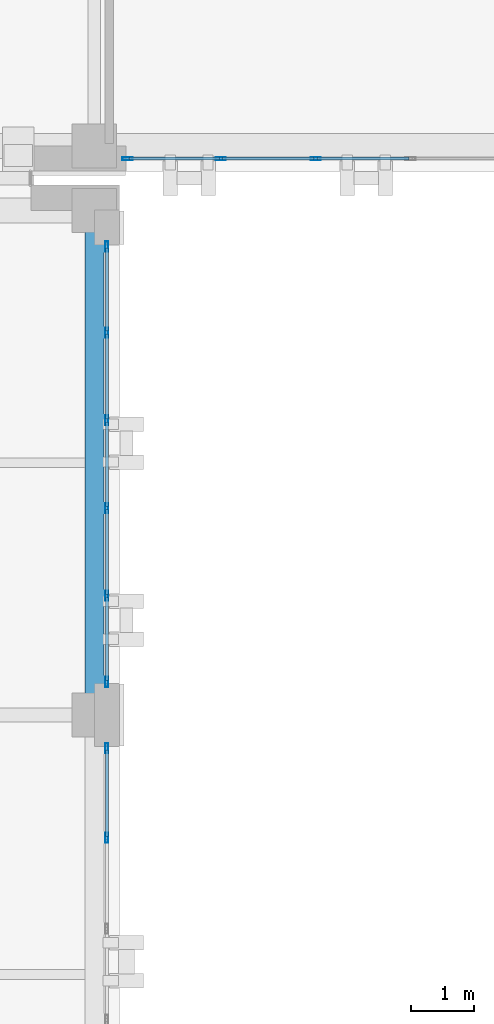
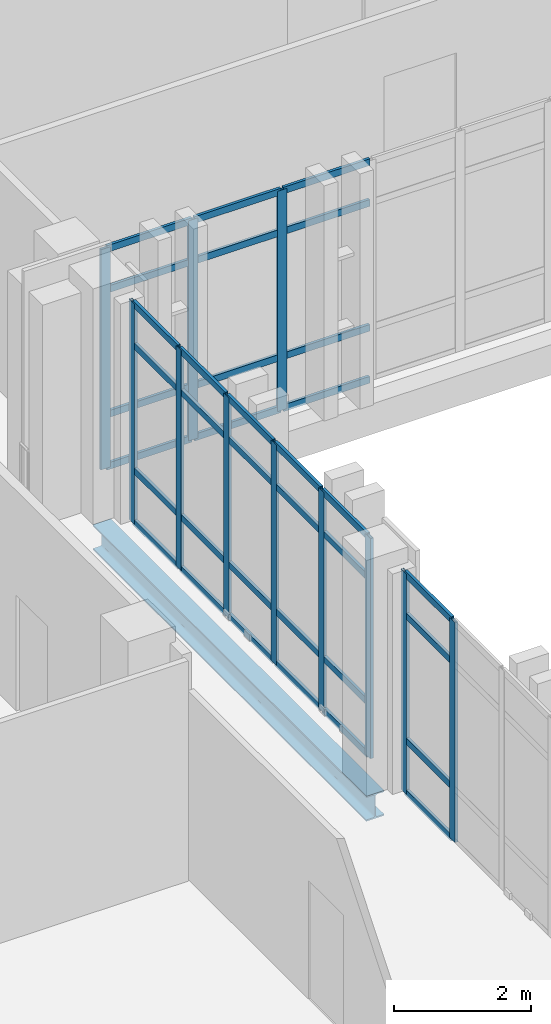
# One storey, part 78 of 158: 47 members, 1 beam, 3 elements without a shape of their own.
"""IFC4 building model written with IfcOpenShell, lengths in metres."""

from ifc_helpers import new_model, si_unit, direction, frame, origin, origin_2d, place, context, subcontext, project, spatial, hollow_rectangle, i_section, extrude, material, layer, layer_set, material_profile, profile_set, type_object, element, aggregate, save


model = new_model("IFC4")

# Units and contexts
model_context = context("Model", 3, precision=1e-05, world=origin(), true_north=direction((0.0, 1.0)))
body_context = subcontext(model_context, "Body", "Model", "MODEL_VIEW")
ifc_project = project(units=[si_unit("LENGTHUNIT", "METRE"), si_unit("AREAUNIT", "SQUARE_METRE"), si_unit("VOLUMEUNIT", "CUBIC_METRE"), si_unit("PLANEANGLEUNIT", "RADIAN"), si_unit("MASSUNIT", "GRAM", prefix="KILO")], contexts=[model_context])

# Site, building, storey
site_placement = place(None, origin())
site = spatial("IfcSite", under=ifc_project, at=site_placement, CompositionType="ELEMENT")
building_placement = place(site_placement, origin())
building = spatial("IfcBuilding", under=site, at=building_placement, Name="Qalavern Law Courts", CompositionType="ELEMENT")
storey_placement = place(building_placement, frame((0.0, 0.0, 18.60009765625)))
storey = spatial("IfcBuildingStorey", under=building, at=storey_placement, Name="L04", CompositionType="ELEMENT", Elevation=18.60009765625)

# Curtain wall, members
ifc_material_1 = material(Name="Anodised aluminium and insulated glazing", Category="aluminium")
ifc_layer_1 = layer(ifc_material_1, 0.159912109375)
ifc_layer_set_1 = layer_set([ifc_layer_1], Name="Anodised aluminium and insulated glazing")
curtain_wall_type_1 = type_object("IfcCurtainWallType", Name="ENV-CW-CHAMB", PredefinedType="USERDEFINED", material=ifc_layer_set_1)
curtain_wall_1_placement = place(storey_placement, origin())
curtain_wall_1 = element("IfcCurtainWall", 1, at=curtain_wall_1_placement, inside=storey, type_object=curtain_wall_type_1, Name="V3 unitised curtain wall L04 east 6", ObjectType="UNITISED CURTAIN WALL", PredefinedType="USERDEFINED")
ifc_material_2 = material(Name="Anodised aluminium", Category="aluminium")
ifc_material_profile_1 = material_profile(ifc_material_2, hollow_rectangle(XDim=0.048095703125, YDim=0.159912109375, WallThickness=0.00390625, at=origin_2d()), Name="ALU MULLION 48x160")
ifc_profile_set_1 = profile_set([ifc_material_profile_1], Name="Anodised aluminium")
member_type_1 = type_object("IfcMemberType", Name="ENV-CWM-48x160", PredefinedType="MULLION", material=ifc_profile_set_1)
member_1_placement = place(storey_placement, frame((18.60009765625, 85.659912109375, 0.0), z_axis=(0.0, 0.0, 1.0), x_axis=(-1.0, 0.0, 0.0)))
member_1 = element("IfcMember", 2, at=member_1_placement, type_object=member_type_1, Name="CW-04 mullion 5", PredefinedType="MULLION", context=body_context, shape_type="SweptSolid", body=[
    extrude(hollow_rectangle(XDim=0.048095703125, YDim=0.159912109375, WallThickness=0.00390625, at=origin_2d()), origin(), (0.0, 0.0, 1.0), 3.9248046875),
])
member_2_placement = place(storey_placement, frame((18.60009765625, 87.075927734375, 0.0), z_axis=(0.0, 0.0, 1.0), x_axis=(-1.0, 0.0, 0.0)))
member_2 = element("IfcMember", 3, at=member_2_placement, type_object=member_type_1, Name="CW-04 mullion 6", PredefinedType="MULLION", context=body_context, shape_type="SweptSolid", body=[
    extrude(hollow_rectangle(XDim=0.048095703125, YDim=0.159912109375, WallThickness=0.00390625, at=origin_2d()), origin(), (0.0, 0.0, 1.0), 3.9248046875),
])

curtain_wall_2_placement = place(storey_placement, origin())
curtain_wall_2 = element("IfcCurtainWall", 4, at=curtain_wall_2_placement, inside=storey, type_object=curtain_wall_type_1, Name="V3 unitised curtain wall L04 east 7", ObjectType="UNITISED CURTAIN WALL", PredefinedType="USERDEFINED")
member_3_placement = place(storey_placement, frame((18.60009765625, 88.1240234375, 0.0), z_axis=(0.0, 0.0, 1.0), x_axis=(-1.0, 0.0, 0.0)))
member_3 = element("IfcMember", 5, at=member_3_placement, type_object=member_type_1, Name="CW-04 mullion 1", PredefinedType="MULLION", context=body_context, shape_type="SweptSolid", body=[
    extrude(hollow_rectangle(XDim=0.048095703125, YDim=0.159912109375, WallThickness=0.00390625, at=origin_2d()), origin(), (0.0, 0.0, 1.0), 3.9248046875),
])
member_4_placement = place(storey_placement, frame((18.60009765625, 89.487060546875, 0.0), z_axis=(0.0, 0.0, 1.0), x_axis=(-1.0, 0.0, 0.0)))
member_4 = element("IfcMember", 6, at=member_4_placement, type_object=member_type_1, Name="CW-04 mullion 2", PredefinedType="MULLION", context=body_context, shape_type="SweptSolid", body=[
    extrude(hollow_rectangle(XDim=0.048095703125, YDim=0.159912109375, WallThickness=0.00390625, at=origin_2d()), origin(), (0.0, 0.0, 1.0), 3.9248046875),
])
member_5_placement = place(storey_placement, frame((18.60009765625, 90.8740234375, 0.0), z_axis=(0.0, 0.0, 1.0), x_axis=(-1.0, 0.0, 0.0)))
member_5 = element("IfcMember", 7, at=member_5_placement, type_object=member_type_1, Name="CW-04 mullion 3", PredefinedType="MULLION", context=body_context, shape_type="SweptSolid", body=[
    extrude(hollow_rectangle(XDim=0.048095703125, YDim=0.159912109375, WallThickness=0.00390625, at=origin_2d()), origin(), (0.0, 0.0, 1.0), 3.9248046875),
])
member_6_placement = place(storey_placement, frame((18.60009765625, 92.260986328125, 0.0), z_axis=(0.0, 0.0, 1.0), x_axis=(-1.0, 0.0, 0.0)))
member_6 = element("IfcMember", 8, at=member_6_placement, type_object=member_type_1, Name="CW-04 mullion 4", PredefinedType="MULLION", context=body_context, shape_type="SweptSolid", body=[
    extrude(hollow_rectangle(XDim=0.048095703125, YDim=0.159912109375, WallThickness=0.00390625, at=origin_2d()), origin(), (0.0, 0.0, 1.0), 3.9248046875),
])
member_7_placement = place(storey_placement, frame((18.60009765625, 93.64794921875, 0.0), z_axis=(0.0, 0.0, 1.0), x_axis=(-1.0, 0.0, 0.0)))
member_7 = element("IfcMember", 9, at=member_7_placement, type_object=member_type_1, Name="CW-04 mullion 5", PredefinedType="MULLION", context=body_context, shape_type="SweptSolid", body=[
    extrude(hollow_rectangle(XDim=0.048095703125, YDim=0.159912109375, WallThickness=0.00390625, at=origin_2d()), origin(), (0.0, 0.0, 1.0), 3.9248046875),
])
member_8_placement = place(storey_placement, frame((18.60009765625, 95.010986328125, 0.0), z_axis=(0.0, 0.0, 1.0), x_axis=(-1.0, 0.0, 0.0)))
member_8 = element("IfcMember", 10, at=member_8_placement, type_object=member_type_1, Name="CW-04 mullion 6", PredefinedType="MULLION", context=body_context, shape_type="SweptSolid", body=[
    extrude(hollow_rectangle(XDim=0.048095703125, YDim=0.159912109375, WallThickness=0.00390625, at=origin_2d()), origin(), (0.0, 0.0, 1.0), 3.9248046875),
])

ifc_layer_2 = layer(ifc_material_1, 0.166015625)
ifc_layer_set_2 = layer_set([ifc_layer_2], Name="Anodised aluminium and insulated glazing")
curtain_wall_type_2 = type_object("IfcCurtainWallType", Name="ENV-CW-LIB", PredefinedType="USERDEFINED", material=ifc_layer_set_2)
curtain_wall_3_placement = place(storey_placement, origin())
curtain_wall_3 = element("IfcCurtainWall", 11, at=curtain_wall_3_placement, inside=storey, type_object=curtain_wall_type_2, Name="V5 unitised curtain wall L04 south 1", ObjectType="UNITISED CURTAIN WALL", PredefinedType="USERDEFINED")
member_9_placement = place(storey_placement, frame((18.924072265625, 96.39990234375, 0.0), z_axis=(0.0, 0.0, 1.0), x_axis=(0.0, 1.0, 0.0)))
member_9 = element("IfcMember", 12, at=member_9_placement, type_object=member_type_1, Name="CW-05 mullion 1", PredefinedType="MULLION", context=body_context, shape_type="SweptSolid", body=[
    extrude(hollow_rectangle(XDim=0.048095703125, YDim=0.159912109375, WallThickness=0.00390625, at=origin_2d()), origin(), (0.0, 0.0, 1.0), 3.9248046875),
])
member_10_placement = place(storey_placement, frame((20.39990234375, 96.39990234375, 0.0), z_axis=(0.0, 0.0, 1.0), x_axis=(0.0, 1.0, 0.0)))
member_10 = element("IfcMember", 13, at=member_10_placement, type_object=member_type_1, Name="CW-05 mullion 2", PredefinedType="MULLION", context=body_context, shape_type="SweptSolid", body=[
    extrude(hollow_rectangle(XDim=0.048095703125, YDim=0.159912109375, WallThickness=0.00390625, at=origin_2d()), origin(), (0.0, 0.0, 1.0), 3.9248046875),
])
member_11_placement = place(storey_placement, frame((21.89990234375, 96.39990234375, 0.0), z_axis=(0.0, 0.0, 1.0), x_axis=(0.0, 1.0, 0.0)))
member_11 = element("IfcMember", 14, at=member_11_placement, type_object=member_type_1, Name="CW-05 mullion 3", PredefinedType="MULLION", context=body_context, shape_type="SweptSolid", body=[
    extrude(hollow_rectangle(XDim=0.048095703125, YDim=0.159912109375, WallThickness=0.00390625, at=origin_2d()), origin(), (0.0, 0.0, 1.0), 3.9248046875),
])

# Member
ifc_material_profile_2 = material_profile(ifc_material_2, hollow_rectangle(XDim=0.048095703125, YDim=0.1201171875, WallThickness=0.00390625, at=origin_2d()), Name="ALU TRANSOM 48x120")
ifc_profile_set_2 = profile_set([ifc_material_profile_2], Name="Anodised aluminium")
member_type_2 = type_object("IfcMemberType", Name="ENV-CWT-48x120", PredefinedType="USERDEFINED", material=ifc_profile_set_2)
member_12_placement = place(storey_placement, frame((18.60009765625, 85.68408203125, 0.02392578125), z_axis=(0.0, 1.0, 0.0), x_axis=(-1.0, 0.0, 0.0)))
member_12 = element("IfcMember", 15, at=member_12_placement, type_object=member_type_2, Name="CW-04 transom 5.1", ObjectType="TRANSOM", PredefinedType="USERDEFINED", context=body_context, shape_type="SweptSolid", body=[
    extrude(hollow_rectangle(XDim=0.048095703125, YDim=0.1201171875, WallThickness=0.00390625, at=origin_2d()), origin(), (0.0, 0.0, 1.0), 1.367919921875),
])

member_13_placement = place(storey_placement, frame((18.60009765625, 85.68408203125, 0.949951171875), z_axis=(0.0, 1.0, 0.0), x_axis=(-1.0, 0.0, 0.0)))
member_13 = element("IfcMember", 16, at=member_13_placement, type_object=member_type_2, Name="CW-04 transom 5.2", ObjectType="TRANSOM", PredefinedType="USERDEFINED", context=body_context, shape_type="SweptSolid", body=[
    extrude(hollow_rectangle(XDim=0.048095703125, YDim=0.1201171875, WallThickness=0.00390625, at=origin_2d()), origin(), (0.0, 0.0, 1.0), 1.367919921875),
])

member_14_placement = place(storey_placement, frame((18.60009765625, 85.68408203125, 3.1748046875), z_axis=(0.0, 1.0, 0.0), x_axis=(-1.0, 0.0, 0.0)))
member_14 = element("IfcMember", 17, at=member_14_placement, type_object=member_type_2, Name="CW-04 transom 5.3", ObjectType="TRANSOM", PredefinedType="USERDEFINED", context=body_context, shape_type="SweptSolid", body=[
    extrude(hollow_rectangle(XDim=0.048095703125, YDim=0.1201171875, WallThickness=0.00390625, at=origin_2d()), origin(), (0.0, 0.0, 1.0), 1.367919921875),
])

member_15_placement = place(storey_placement, frame((18.60009765625, 85.68408203125, 3.90087890625), z_axis=(0.0, 1.0, 0.0), x_axis=(-1.0, 0.0, 0.0)))
member_15 = element("IfcMember", 18, at=member_15_placement, type_object=member_type_2, Name="CW-04 transom 5.4", ObjectType="TRANSOM", PredefinedType="USERDEFINED", context=body_context, shape_type="SweptSolid", body=[
    extrude(hollow_rectangle(XDim=0.048095703125, YDim=0.1201171875, WallThickness=0.00390625, at=origin_2d()), origin(), (0.0, 0.0, 1.0), 1.367919921875),
])

aggregate(curtain_wall_1, [member_1, member_2, member_12, member_13, member_14, member_15])

member_16_placement = place(storey_placement, frame((18.60009765625, 88.14794921875, 0.02392578125), z_axis=(0.0, 1.0, 0.0), x_axis=(-1.0, 0.0, 0.0)))
member_16 = element("IfcMember", 19, at=member_16_placement, type_object=member_type_2, Name="CW-04 transom 1.1", ObjectType="TRANSOM", PredefinedType="USERDEFINED", context=body_context, shape_type="SweptSolid", body=[
    extrude(hollow_rectangle(XDim=0.048095703125, YDim=0.1201171875, WallThickness=0.00390625, at=origin_2d()), origin(), (0.0, 0.0, 1.0), 1.31494140625),
])

member_17_placement = place(storey_placement, frame((18.60009765625, 88.14794921875, 0.949951171875), z_axis=(0.0, 1.0, 0.0), x_axis=(-1.0, 0.0, 0.0)))
member_17 = element("IfcMember", 20, at=member_17_placement, type_object=member_type_2, Name="CW-04 transom 1.2", ObjectType="TRANSOM", PredefinedType="USERDEFINED", context=body_context, shape_type="SweptSolid", body=[
    extrude(hollow_rectangle(XDim=0.048095703125, YDim=0.1201171875, WallThickness=0.00390625, at=origin_2d()), origin(), (0.0, 0.0, 1.0), 1.31494140625),
])

member_18_placement = place(storey_placement, frame((18.60009765625, 88.14794921875, 3.1748046875), z_axis=(0.0, 1.0, 0.0), x_axis=(-1.0, 0.0, 0.0)))
member_18 = element("IfcMember", 21, at=member_18_placement, type_object=member_type_2, Name="CW-04 transom 1.3", ObjectType="TRANSOM", PredefinedType="USERDEFINED", context=body_context, shape_type="SweptSolid", body=[
    extrude(hollow_rectangle(XDim=0.048095703125, YDim=0.1201171875, WallThickness=0.00390625, at=origin_2d()), origin(), (0.0, 0.0, 1.0), 1.31494140625),
])

member_19_placement = place(storey_placement, frame((18.60009765625, 88.14794921875, 3.90087890625), z_axis=(0.0, 1.0, 0.0), x_axis=(-1.0, 0.0, 0.0)))
member_19 = element("IfcMember", 22, at=member_19_placement, type_object=member_type_2, Name="CW-04 transom 1.4", ObjectType="TRANSOM", PredefinedType="USERDEFINED", context=body_context, shape_type="SweptSolid", body=[
    extrude(hollow_rectangle(XDim=0.048095703125, YDim=0.1201171875, WallThickness=0.00390625, at=origin_2d()), origin(), (0.0, 0.0, 1.0), 1.31494140625),
])

member_20_placement = place(storey_placement, frame((18.60009765625, 89.510986328125, 0.02392578125), z_axis=(0.0, 1.0, 0.0), x_axis=(-1.0, 0.0, 0.0)))
member_20 = element("IfcMember", 23, at=member_20_placement, type_object=member_type_2, Name="CW-04 transom 2.1", ObjectType="TRANSOM", PredefinedType="USERDEFINED", context=body_context, shape_type="SweptSolid", body=[
    extrude(hollow_rectangle(XDim=0.048095703125, YDim=0.1201171875, WallThickness=0.00390625, at=origin_2d()), origin(), (0.0, 0.0, 1.0), 1.339111328125),
])

member_21_placement = place(storey_placement, frame((18.60009765625, 89.510986328125, 0.949951171875), z_axis=(0.0, 1.0, 0.0), x_axis=(-1.0, 0.0, 0.0)))
member_21 = element("IfcMember", 24, at=member_21_placement, type_object=member_type_2, Name="CW-04 transom 2.2", ObjectType="TRANSOM", PredefinedType="USERDEFINED", context=body_context, shape_type="SweptSolid", body=[
    extrude(hollow_rectangle(XDim=0.048095703125, YDim=0.1201171875, WallThickness=0.00390625, at=origin_2d()), origin(), (0.0, 0.0, 1.0), 1.339111328125),
])

member_22_placement = place(storey_placement, frame((18.60009765625, 89.510986328125, 3.1748046875), z_axis=(0.0, 1.0, 0.0), x_axis=(-1.0, 0.0, 0.0)))
member_22 = element("IfcMember", 25, at=member_22_placement, type_object=member_type_2, Name="CW-04 transom 2.3", ObjectType="TRANSOM", PredefinedType="USERDEFINED", context=body_context, shape_type="SweptSolid", body=[
    extrude(hollow_rectangle(XDim=0.048095703125, YDim=0.1201171875, WallThickness=0.00390625, at=origin_2d()), origin(), (0.0, 0.0, 1.0), 1.339111328125),
])

member_23_placement = place(storey_placement, frame((18.60009765625, 89.510986328125, 3.90087890625), z_axis=(0.0, 1.0, 0.0), x_axis=(-1.0, 0.0, 0.0)))
member_23 = element("IfcMember", 26, at=member_23_placement, type_object=member_type_2, Name="CW-04 transom 2.4", ObjectType="TRANSOM", PredefinedType="USERDEFINED", context=body_context, shape_type="SweptSolid", body=[
    extrude(hollow_rectangle(XDim=0.048095703125, YDim=0.1201171875, WallThickness=0.00390625, at=origin_2d()), origin(), (0.0, 0.0, 1.0), 1.339111328125),
])

member_24_placement = place(storey_placement, frame((18.60009765625, 90.89794921875, 0.02392578125), z_axis=(0.0, 1.0, 0.0), x_axis=(-1.0, 0.0, 0.0)))
member_24 = element("IfcMember", 27, at=member_24_placement, type_object=member_type_2, Name="CW-04 transom 3.1", ObjectType="TRANSOM", PredefinedType="USERDEFINED", context=body_context, shape_type="SweptSolid", body=[
    extrude(hollow_rectangle(XDim=0.048095703125, YDim=0.1201171875, WallThickness=0.00390625, at=origin_2d()), origin(), (0.0, 0.0, 1.0), 1.339111328125),
])

member_25_placement = place(storey_placement, frame((18.60009765625, 90.89794921875, 0.949951171875), z_axis=(0.0, 1.0, 0.0), x_axis=(-1.0, 0.0, 0.0)))
member_25 = element("IfcMember", 28, at=member_25_placement, type_object=member_type_2, Name="CW-04 transom 3.2", ObjectType="TRANSOM", PredefinedType="USERDEFINED", context=body_context, shape_type="SweptSolid", body=[
    extrude(hollow_rectangle(XDim=0.048095703125, YDim=0.1201171875, WallThickness=0.00390625, at=origin_2d()), origin(), (0.0, 0.0, 1.0), 1.339111328125),
])

member_26_placement = place(storey_placement, frame((18.60009765625, 90.89794921875, 3.1748046875), z_axis=(0.0, 1.0, 0.0), x_axis=(-1.0, 0.0, 0.0)))
member_26 = element("IfcMember", 29, at=member_26_placement, type_object=member_type_2, Name="CW-04 transom 3.3", ObjectType="TRANSOM", PredefinedType="USERDEFINED", context=body_context, shape_type="SweptSolid", body=[
    extrude(hollow_rectangle(XDim=0.048095703125, YDim=0.1201171875, WallThickness=0.00390625, at=origin_2d()), origin(), (0.0, 0.0, 1.0), 1.339111328125),
])

member_27_placement = place(storey_placement, frame((18.60009765625, 90.89794921875, 3.90087890625), z_axis=(0.0, 1.0, 0.0), x_axis=(-1.0, 0.0, 0.0)))
member_27 = element("IfcMember", 30, at=member_27_placement, type_object=member_type_2, Name="CW-04 transom 3.4", ObjectType="TRANSOM", PredefinedType="USERDEFINED", context=body_context, shape_type="SweptSolid", body=[
    extrude(hollow_rectangle(XDim=0.048095703125, YDim=0.1201171875, WallThickness=0.00390625, at=origin_2d()), origin(), (0.0, 0.0, 1.0), 1.339111328125),
])

member_28_placement = place(storey_placement, frame((18.60009765625, 92.284912109375, 0.02392578125), z_axis=(0.0, 1.0, 0.0), x_axis=(-1.0, 0.0, 0.0)))
member_28 = element("IfcMember", 31, at=member_28_placement, type_object=member_type_2, Name="CW-04 transom 4.1", ObjectType="TRANSOM", PredefinedType="USERDEFINED", context=body_context, shape_type="SweptSolid", body=[
    extrude(hollow_rectangle(XDim=0.048095703125, YDim=0.1201171875, WallThickness=0.00390625, at=origin_2d()), origin(), (0.0, 0.0, 1.0), 1.339111328125),
])

member_29_placement = place(storey_placement, frame((18.60009765625, 92.284912109375, 0.949951171875), z_axis=(0.0, 1.0, 0.0), x_axis=(-1.0, 0.0, 0.0)))
member_29 = element("IfcMember", 32, at=member_29_placement, type_object=member_type_2, Name="CW-04 transom 4.2", ObjectType="TRANSOM", PredefinedType="USERDEFINED", context=body_context, shape_type="SweptSolid", body=[
    extrude(hollow_rectangle(XDim=0.048095703125, YDim=0.1201171875, WallThickness=0.00390625, at=origin_2d()), origin(), (0.0, 0.0, 1.0), 1.339111328125),
])

member_30_placement = place(storey_placement, frame((18.60009765625, 92.284912109375, 3.1748046875), z_axis=(0.0, 1.0, 0.0), x_axis=(-1.0, 0.0, 0.0)))
member_30 = element("IfcMember", 33, at=member_30_placement, type_object=member_type_2, Name="CW-04 transom 4.3", ObjectType="TRANSOM", PredefinedType="USERDEFINED", context=body_context, shape_type="SweptSolid", body=[
    extrude(hollow_rectangle(XDim=0.048095703125, YDim=0.1201171875, WallThickness=0.00390625, at=origin_2d()), origin(), (0.0, 0.0, 1.0), 1.339111328125),
])

member_31_placement = place(storey_placement, frame((18.60009765625, 92.284912109375, 3.90087890625), z_axis=(0.0, 1.0, 0.0), x_axis=(-1.0, 0.0, 0.0)))
member_31 = element("IfcMember", 34, at=member_31_placement, type_object=member_type_2, Name="CW-04 transom 4.4", ObjectType="TRANSOM", PredefinedType="USERDEFINED", context=body_context, shape_type="SweptSolid", body=[
    extrude(hollow_rectangle(XDim=0.048095703125, YDim=0.1201171875, WallThickness=0.00390625, at=origin_2d()), origin(), (0.0, 0.0, 1.0), 1.339111328125),
])

member_32_placement = place(storey_placement, frame((18.60009765625, 93.672119140625, 0.02392578125), z_axis=(0.0, 1.0, 0.0), x_axis=(-1.0, 0.0, 0.0)))
member_32 = element("IfcMember", 35, at=member_32_placement, type_object=member_type_2, Name="CW-04 transom 5.1", ObjectType="TRANSOM", PredefinedType="USERDEFINED", context=body_context, shape_type="SweptSolid", body=[
    extrude(hollow_rectangle(XDim=0.048095703125, YDim=0.1201171875, WallThickness=0.00390625, at=origin_2d()), origin(), (0.0, 0.0, 1.0), 1.31494140625),
])

member_33_placement = place(storey_placement, frame((18.60009765625, 93.672119140625, 0.949951171875), z_axis=(0.0, 1.0, 0.0), x_axis=(-1.0, 0.0, 0.0)))
member_33 = element("IfcMember", 36, at=member_33_placement, type_object=member_type_2, Name="CW-04 transom 5.2", ObjectType="TRANSOM", PredefinedType="USERDEFINED", context=body_context, shape_type="SweptSolid", body=[
    extrude(hollow_rectangle(XDim=0.048095703125, YDim=0.1201171875, WallThickness=0.00390625, at=origin_2d()), origin(), (0.0, 0.0, 1.0), 1.31494140625),
])

member_34_placement = place(storey_placement, frame((18.60009765625, 93.672119140625, 3.1748046875), z_axis=(0.0, 1.0, 0.0), x_axis=(-1.0, 0.0, 0.0)))
member_34 = element("IfcMember", 37, at=member_34_placement, type_object=member_type_2, Name="CW-04 transom 5.3", ObjectType="TRANSOM", PredefinedType="USERDEFINED", context=body_context, shape_type="SweptSolid", body=[
    extrude(hollow_rectangle(XDim=0.048095703125, YDim=0.1201171875, WallThickness=0.00390625, at=origin_2d()), origin(), (0.0, 0.0, 1.0), 1.31494140625),
])

member_35_placement = place(storey_placement, frame((18.60009765625, 93.672119140625, 3.90087890625), z_axis=(0.0, 1.0, 0.0), x_axis=(-1.0, 0.0, 0.0)))
member_35 = element("IfcMember", 38, at=member_35_placement, type_object=member_type_2, Name="CW-04 transom 5.4", ObjectType="TRANSOM", PredefinedType="USERDEFINED", context=body_context, shape_type="SweptSolid", body=[
    extrude(hollow_rectangle(XDim=0.048095703125, YDim=0.1201171875, WallThickness=0.00390625, at=origin_2d()), origin(), (0.0, 0.0, 1.0), 1.31494140625),
])

aggregate(curtain_wall_2, [member_3, member_4, member_5, member_6, member_7, member_8, member_16, member_17, member_18, member_19, member_20, member_21, member_22, member_23, member_24, member_25, member_26, member_27, member_28, member_29, member_30, member_31, member_32, member_33, member_34, member_35])

member_36_placement = place(storey_placement, frame((18.947998046875, 96.39990234375, 0.02392578125), z_axis=(1.0, 0.0, 0.0), x_axis=(0.0, 1.0, 0.0)))
member_36 = element("IfcMember", 39, at=member_36_placement, type_object=member_type_2, Name="CW-05 transom 1.1", ObjectType="TRANSOM", PredefinedType="USERDEFINED", context=body_context, shape_type="SweptSolid", body=[
    extrude(hollow_rectangle(XDim=0.048095703125, YDim=0.1201171875, WallThickness=0.00390625, at=origin_2d()), origin(), (0.0, 0.0, 1.0), 1.427978515625),
])

member_37_placement = place(storey_placement, frame((18.947998046875, 96.39990234375, 0.949951171875), z_axis=(1.0, 0.0, 0.0), x_axis=(0.0, 1.0, 0.0)))
member_37 = element("IfcMember", 40, at=member_37_placement, type_object=member_type_2, Name="CW-05 transom 1.2", ObjectType="TRANSOM", PredefinedType="USERDEFINED", context=body_context, shape_type="SweptSolid", body=[
    extrude(hollow_rectangle(XDim=0.048095703125, YDim=0.1201171875, WallThickness=0.00390625, at=origin_2d()), origin(), (0.0, 0.0, 1.0), 1.427978515625),
])

member_38_placement = place(storey_placement, frame((18.947998046875, 96.39990234375, 3.1748046875), z_axis=(1.0, 0.0, 0.0), x_axis=(0.0, 1.0, 0.0)))
member_38 = element("IfcMember", 41, at=member_38_placement, type_object=member_type_2, Name="CW-05 transom 1.3", ObjectType="TRANSOM", PredefinedType="USERDEFINED", context=body_context, shape_type="SweptSolid", body=[
    extrude(hollow_rectangle(XDim=0.048095703125, YDim=0.1201171875, WallThickness=0.00390625, at=origin_2d()), origin(), (0.0, 0.0, 1.0), 1.427978515625),
])

member_39_placement = place(storey_placement, frame((18.947998046875, 96.39990234375, 3.90087890625), z_axis=(1.0, 0.0, 0.0), x_axis=(0.0, 1.0, 0.0)))
member_39 = element("IfcMember", 42, at=member_39_placement, type_object=member_type_2, Name="CW-05 transom 1.4", ObjectType="TRANSOM", PredefinedType="USERDEFINED", context=body_context, shape_type="SweptSolid", body=[
    extrude(hollow_rectangle(XDim=0.048095703125, YDim=0.1201171875, WallThickness=0.00390625, at=origin_2d()), origin(), (0.0, 0.0, 1.0), 1.427978515625),
])

member_40_placement = place(storey_placement, frame((20.424072265625, 96.39990234375, 0.02392578125), z_axis=(1.0, 0.0, 0.0), x_axis=(0.0, 1.0, 0.0)))
member_40 = element("IfcMember", 43, at=member_40_placement, type_object=member_type_2, Name="CW-05 transom 2.1", ObjectType="TRANSOM", PredefinedType="USERDEFINED", context=body_context, shape_type="SweptSolid", body=[
    extrude(hollow_rectangle(XDim=0.048095703125, YDim=0.1201171875, WallThickness=0.00390625, at=origin_2d()), origin(), (0.0, 0.0, 1.0), 1.451904296875),
])

member_41_placement = place(storey_placement, frame((20.424072265625, 96.39990234375, 0.949951171875), z_axis=(1.0, 0.0, 0.0), x_axis=(0.0, 1.0, 0.0)))
member_41 = element("IfcMember", 44, at=member_41_placement, type_object=member_type_2, Name="CW-05 transom 2.2", ObjectType="TRANSOM", PredefinedType="USERDEFINED", context=body_context, shape_type="SweptSolid", body=[
    extrude(hollow_rectangle(XDim=0.048095703125, YDim=0.1201171875, WallThickness=0.00390625, at=origin_2d()), origin(), (0.0, 0.0, 1.0), 1.451904296875),
])

member_42_placement = place(storey_placement, frame((20.424072265625, 96.39990234375, 3.1748046875), z_axis=(1.0, 0.0, 0.0), x_axis=(0.0, 1.0, 0.0)))
member_42 = element("IfcMember", 45, at=member_42_placement, type_object=member_type_2, Name="CW-05 transom 2.3", ObjectType="TRANSOM", PredefinedType="USERDEFINED", context=body_context, shape_type="SweptSolid", body=[
    extrude(hollow_rectangle(XDim=0.048095703125, YDim=0.1201171875, WallThickness=0.00390625, at=origin_2d()), origin(), (0.0, 0.0, 1.0), 1.451904296875),
])

member_43_placement = place(storey_placement, frame((20.424072265625, 96.39990234375, 3.90087890625), z_axis=(1.0, 0.0, 0.0), x_axis=(0.0, 1.0, 0.0)))
member_43 = element("IfcMember", 46, at=member_43_placement, type_object=member_type_2, Name="CW-05 transom 2.4", ObjectType="TRANSOM", PredefinedType="USERDEFINED", context=body_context, shape_type="SweptSolid", body=[
    extrude(hollow_rectangle(XDim=0.048095703125, YDim=0.1201171875, WallThickness=0.00390625, at=origin_2d()), origin(), (0.0, 0.0, 1.0), 1.451904296875),
])

member_44_placement = place(storey_placement, frame((21.924072265625, 96.39990234375, 0.02392578125), z_axis=(1.0, 0.0, 0.0), x_axis=(0.0, 1.0, 0.0)))
member_44 = element("IfcMember", 47, at=member_44_placement, type_object=member_type_2, Name="CW-05 transom 3.1", ObjectType="TRANSOM", PredefinedType="USERDEFINED", context=body_context, shape_type="SweptSolid", body=[
    extrude(hollow_rectangle(XDim=0.048095703125, YDim=0.1201171875, WallThickness=0.00390625, at=origin_2d()), origin(), (0.0, 0.0, 1.0), 1.451904296875),
])

member_45_placement = place(storey_placement, frame((21.924072265625, 96.39990234375, 0.949951171875), z_axis=(1.0, 0.0, 0.0), x_axis=(0.0, 1.0, 0.0)))
member_45 = element("IfcMember", 48, at=member_45_placement, type_object=member_type_2, Name="CW-05 transom 3.2", ObjectType="TRANSOM", PredefinedType="USERDEFINED", context=body_context, shape_type="SweptSolid", body=[
    extrude(hollow_rectangle(XDim=0.048095703125, YDim=0.1201171875, WallThickness=0.00390625, at=origin_2d()), origin(), (0.0, 0.0, 1.0), 1.451904296875),
])

member_46_placement = place(storey_placement, frame((21.924072265625, 96.39990234375, 3.1748046875), z_axis=(1.0, 0.0, 0.0), x_axis=(0.0, 1.0, 0.0)))
member_46 = element("IfcMember", 49, at=member_46_placement, type_object=member_type_2, Name="CW-05 transom 3.3", ObjectType="TRANSOM", PredefinedType="USERDEFINED", context=body_context, shape_type="SweptSolid", body=[
    extrude(hollow_rectangle(XDim=0.048095703125, YDim=0.1201171875, WallThickness=0.00390625, at=origin_2d()), origin(), (0.0, 0.0, 1.0), 1.451904296875),
])

member_47_placement = place(storey_placement, frame((21.924072265625, 96.39990234375, 3.90087890625), z_axis=(1.0, 0.0, 0.0), x_axis=(0.0, 1.0, 0.0)))
member_47 = element("IfcMember", 50, at=member_47_placement, type_object=member_type_2, Name="CW-05 transom 3.4", ObjectType="TRANSOM", PredefinedType="USERDEFINED", context=body_context, shape_type="SweptSolid", body=[
    extrude(hollow_rectangle(XDim=0.048095703125, YDim=0.1201171875, WallThickness=0.00390625, at=origin_2d()), origin(), (0.0, 0.0, 1.0), 1.451904296875),
])

aggregate(curtain_wall_3, [member_9, member_10, member_11, member_36, member_37, member_38, member_39, member_40, member_41, member_42, member_43, member_44, member_45, member_46, member_47])

# Beam
ifc_material_3 = material(Name="Steel S355", Category="steel")
ifc_material_profile_3 = material_profile(ifc_material_3, i_section(OverallWidth=0.300048828125, OverallDepth=0.449951171875, WebThickness=0.013916015625, FlangeThickness=0.02587890625, FilletRadius=0.027099609375, at=origin_2d()), Name="HEB 450")
ifc_profile_set_3 = profile_set([ifc_material_profile_3], Name="Steel S355")
beam_type = type_object("IfcBeamType", Name="STR-SP-HEB450", PredefinedType="SPANDREL", material=ifc_profile_set_3)
beam_placement = place(storey_placement, frame((18.39990234375, 87.60009765625, -0.505126953125), z_axis=(0.0, 1.0, 0.0), x_axis=(-1.0, 0.0, 0.0)))
element("IfcBeam", 51, at=beam_placement, inside=storey, type_object=beam_type, Name="V3 Y-beam 3-7 L04", PredefinedType="SPANDREL", context=body_context, shape_type="SweptSolid", body=[
    extrude(i_section(OverallWidth=0.300048828125, OverallDepth=0.449951171875, WebThickness=0.013916015625, FlangeThickness=0.02587890625, FilletRadius=0.027099609375, at=origin_2d()), origin(), (0.0, 0.0, 1.0), 7.97998046875),
])

save(model, "model.ifc")
